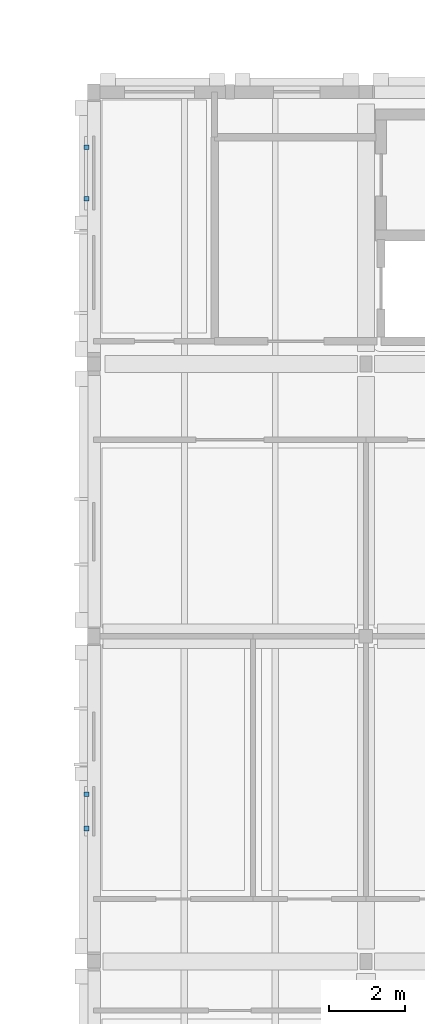
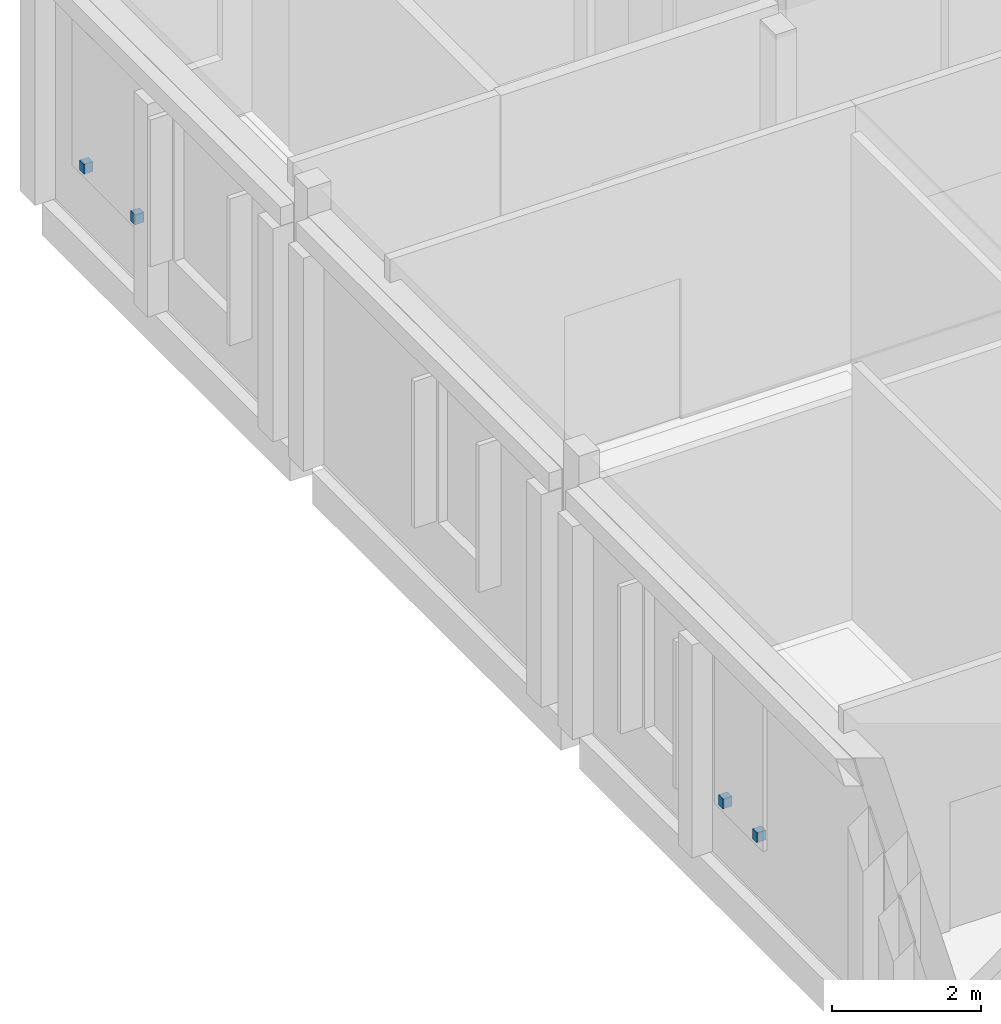
# One storey, part 127 of 146: 4 discrete accessories.
"""IFC4 building model written with IfcOpenShell, lengths in metres."""

from ifc_helpers import new_model, si_unit, direction, frame, origin, origin_2d, place, context, subcontext, project, spatial, rectangle, extrude, material, type_object, element, save


model = new_model("IFC4")

# Units and contexts
model_context = context("Model", 3, precision=1e-05, world=origin(), true_north=direction((0.0, 1.0)))
body_context = subcontext(model_context, "Body", "Model", "MODEL_VIEW")
ifc_project = project(units=[si_unit("LENGTHUNIT", "METRE"), si_unit("AREAUNIT", "SQUARE_METRE"), si_unit("VOLUMEUNIT", "CUBIC_METRE"), si_unit("PLANEANGLEUNIT", "RADIAN"), si_unit("MASSUNIT", "GRAM", prefix="KILO")], contexts=[model_context])

# Site, building, storey
site_placement = place(None, origin())
site = spatial("IfcSite", under=ifc_project, at=site_placement, CompositionType="ELEMENT")
building_placement = place(site_placement, origin())
building = spatial("IfcBuilding", under=site, at=building_placement, Name="Hawrajan Terrace Health Centre", CompositionType="ELEMENT")
storey_placement = place(building_placement, frame((0.0, 0.0, 4.5)))
storey = spatial("IfcBuildingStorey", under=building, at=storey_placement, Name="L01", CompositionType="ELEMENT", Elevation=4.5)

# Discrete accessories
ifc_material = material(Name="Steel S355", Category="steel")
discrete_accessory_type = type_object("IfcDiscreteAccessoryType", Name="FacadeBracket_S355", PredefinedType="BRACKET", material=ifc_material)
for number, where, z_axis, x_axis, name in (
    (1, (4.409912109375, 40.31494140625, 0.97021484375), (0.0, 0.0, 1.0), (0.0, 1.0, 0.0), "Roshan support bracket BRK-L01-058-1"),
    (2, (4.409912109375, 41.22509765625, 0.97021484375), (0.0, 0.0, 1.0), (0.0, 1.0, 0.0), "Roshan support bracket BRK-L01-058-2"),
    (3, (4.409912109375, 56.967529296875, 0.97021484375), (0.0, 0.0, 1.0), (0.0, 1.0, 0.0), "Roshan support bracket BRK-L01-065-1"),
    (4, (4.409912109375, 58.33251953125, 0.97021484375), (0.0, 0.0, 1.0), (0.0, 1.0, 0.0), "Roshan support bracket BRK-L01-065-2"),
):
    element("IfcDiscreteAccessory", number, at=place(storey_placement, frame(where, z_axis=z_axis, x_axis=x_axis)), inside=storey, type_object=discrete_accessory_type, Name=name, PredefinedType="BRACKET", context=body_context, shape_type="SweptSolid", body=[
        extrude(rectangle(XDim=0.1201171875, YDim=0.139892578125, at=origin_2d()), origin(), (0.0, 0.0, 1.0), 0.159912109375),
    ])

save(model, "model.ifc")
